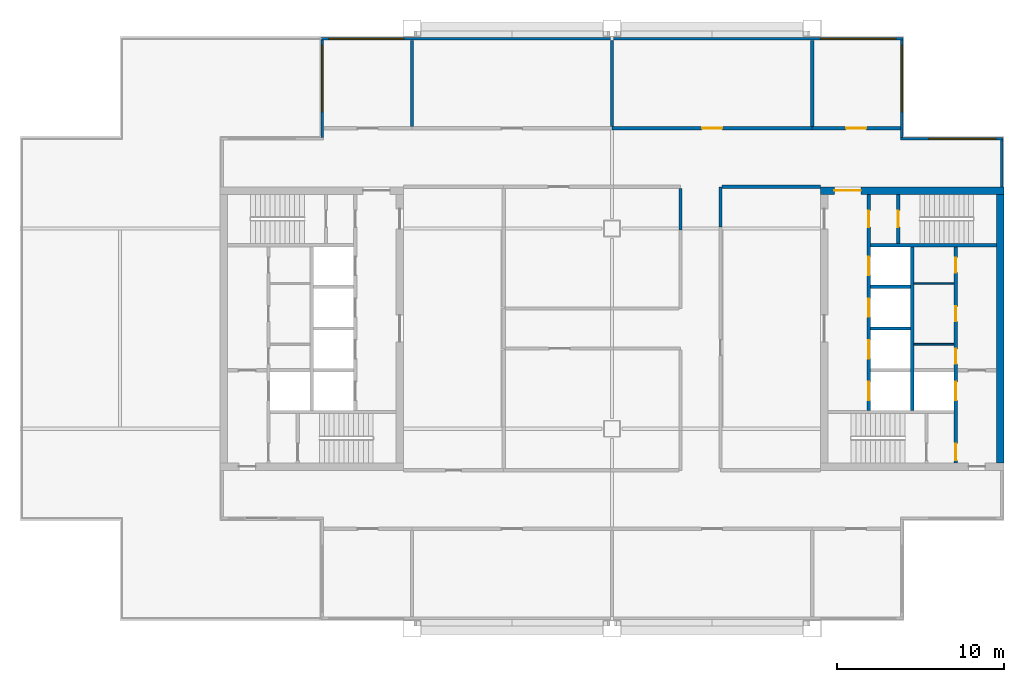
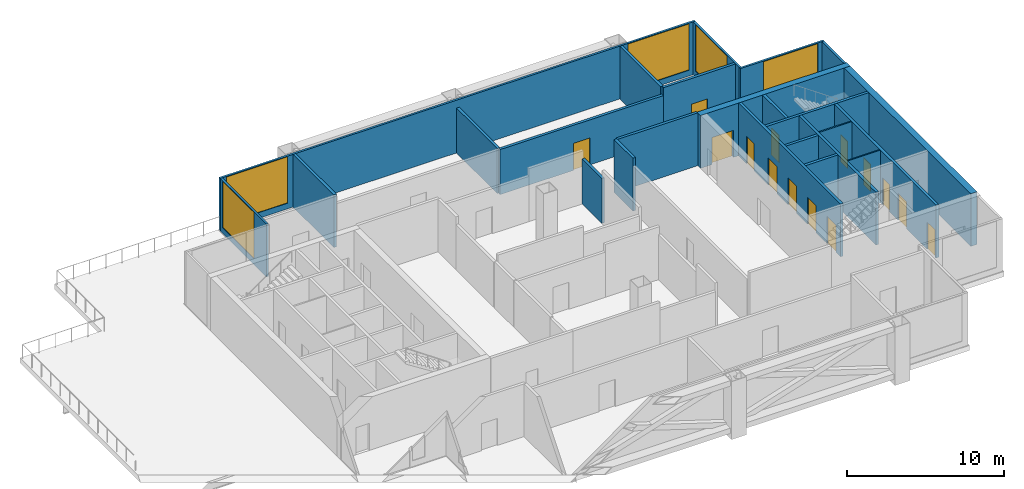
# One storey, part 4 of 6: 24 walls, 14 doors, 5 windows, 19 openings.
"""IFC4 building model written with IfcOpenShell, lengths in metres."""

from ifc_helpers import new_model, si_unit, direction, frame, frame_2d, origin, place, context, subcontext, project, spatial, rectangle, extrude, material, layer, layer_set, type_object, element, fill, save


model = new_model("IFC4")

# Units and contexts
model_context = context("Model", 3, precision=1e-05, world=origin(), true_north=direction((0.0, 1.0)))
body_context = subcontext(model_context, "Body", "Model", "MODEL_VIEW")
ifc_project = project(units=[si_unit("LENGTHUNIT", "METRE"), si_unit("AREAUNIT", "SQUARE_METRE"), si_unit("VOLUMEUNIT", "CUBIC_METRE"), si_unit("PLANEANGLEUNIT", "RADIAN"), si_unit("MASSUNIT", "GRAM", prefix="KILO")], contexts=[model_context])

# Site, building, storey
site_placement = place(None, origin())
site = spatial("IfcSite", under=ifc_project, at=site_placement, CompositionType="ELEMENT")
building_placement = place(site_placement, origin())
building = spatial("IfcBuilding", under=site, at=building_placement, Name="Kitamizu Gate Tower and Museum", CompositionType="ELEMENT")
storey_placement = place(building_placement, frame((0.0, 0.0, 213.449951171875)))
storey = spatial("IfcBuildingStorey", under=building, at=storey_placement, Name="L57", CompositionType="ELEMENT", Elevation=213.449951171875)

# Wall, opening, door
ifc_material_1 = material(Name="Concrete Fc42", Category="concrete")
ifc_layer_1 = layer(ifc_material_1, 0.449951171875)
ifc_layer_set_1 = layer_set([ifc_layer_1], Name="Concrete Fc42")
wall_type_1 = type_object("IfcWallType", Name="Core wall 450", PredefinedType="SHEAR", material=ifc_layer_set_1)
wall_1_placement = place(storey_placement, frame((59.5, 38.27490234375, 0.0), z_axis=(0.0, 0.0, 1.0), x_axis=(-1.0, 0.0, 0.0)))
wall_1 = element("IfcWall", 1, at=wall_1_placement, inside=storey, type_object=wall_type_1, Name="Core wall EN", PredefinedType="SHEAR", context=body_context, shape_type="SweptSolid", body=[
    extrude(rectangle(XDim=11.0, YDim=0.449951171875, at=frame_2d((5.5, 0.0))), origin(), (0.0, 0.0, 1.0), 4.10009765625),
])
opening_1_placement = place(wall_1_placement, frame((8.574951171875, 0.0, 0.0)))
opening_1 = element("IfcOpeningElement", 2, at=opening_1_placement, cuts=wall_1, Name="Opening L57-031", PredefinedType="OPENING", context=body_context, shape_type="SweptSolid", body=[
    extrude(rectangle(XDim=1.60009765625, YDim=2.10009765625, at=frame_2d((0.800048828125, 1.050048828125))), frame((0.0, 0.23486328125, 0.0), z_axis=(0.0, -1.0, 0.0), x_axis=(1.0, 0.0, 0.0)), (0.0, 0.0, 1.0), 0.469970703125),
])
ifc_material_2 = material(Name="Timber door set", Category="wood")
door_type_1 = type_object("IfcDoorType", Name="Entrance door 1600", OperationType="DOUBLE_DOOR_SINGLE_SWING", PredefinedType="DOOR", material=ifc_material_2)
door_1_placement = place(opening_1_placement, origin())
door_1 = element("IfcDoor", 3, at=door_1_placement, inside=storey, type_object=door_type_1, Name="Lobby door L57-031", OperationType="DOUBLE_DOOR_SINGLE_SWING", OverallHeight=2.10009765625, OverallWidth=1.60009765625, PredefinedType="DOOR", context=body_context, shape_type="SweptSolid", body=[
    extrude(rectangle(XDim=1.60009765625, YDim=2.10009765625, at=frame_2d((0.800048828125, 1.050048828125))), frame((0.0, 0.02490234375, 0.0), z_axis=(0.0, -1.0, 0.0), x_axis=(1.0, 0.0, 0.0)), (0.0, 0.0, 1.0), 0.050048828125),
])
fill(opening_1, door_1)

# Walls
wall_2_placement = place(storey_placement, frame((59.27490234375, 21.949951171875, 0.0), z_axis=(0.0, 0.0, 1.0), x_axis=(0.0, 1.0, 0.0)))
element("IfcWall", 4, at=wall_2_placement, inside=storey, type_object=wall_type_1, Name="Core wall EOUT", PredefinedType="SHEAR", context=body_context, shape_type="SweptSolid", body=[
    extrude(rectangle(XDim=16.10009765625, YDim=0.449951171875, at=frame_2d((8.050048828125, 0.0))), origin(), (0.0, 0.0, 1.0), 4.10009765625),
])
ifc_material_3 = material(Name="Gypsum board on galvanised stud")
ifc_layer_2 = layer(ifc_material_3, 0.10009765625)
ifc_layer_set_2 = layer_set([ifc_layer_2], Name="Gypsum board on galvanised stud")
wall_type_2 = type_object("IfcWallType", Name="Partition 100", PredefinedType="PARTITIONING", material=ifc_layer_set_2)
for number, where, z_axis, x_axis, name in (
    (5, (56.5, 29.06005859375, 0.0), (0.0, 0.0, 1.0), (-1.0, 0.0, 0.0), "Partition EPF1"),
    (6, (56.5, 32.7099609375, 0.0), (0.0, 0.0, 1.0), (-1.0, 0.0, 0.0), "Partition EPF2"),
):
    element("IfcWall", number, at=place(storey_placement, frame(where, z_axis=z_axis, x_axis=x_axis)), inside=storey, type_object=wall_type_2, Name=name, PredefinedType="PARTITIONING", context=body_context, shape_type="SweptSolid", body=[
        extrude(rectangle(XDim=2.39990234375, YDim=0.10009765625, at=frame_2d((1.199951171875, 0.0))), origin(), (0.0, 0.0, 1.0), 4.10009765625),
    ])
ifc_material_4 = material(Name="Gypsum board on galvanised stud")
ifc_layer_3 = layer(ifc_material_4, 0.199951171875)
ifc_layer_set_3 = layer_set([ifc_layer_3], Name="Gypsum board on galvanised stud")
wall_type_3 = type_object("IfcWallType", Name="Partition 200", PredefinedType="PARTITIONING", material=ifc_layer_set_3)
wall_3_placement = place(storey_placement, frame((42.5, 36.10009765625, 0.0), z_axis=(0.0, 0.0, 1.0), x_axis=(0.0, 1.0, 0.0)))
element("IfcWall", 7, at=wall_3_placement, inside=storey, type_object=wall_type_3, Name="Partition L57-006", PredefinedType="PARTITIONING", context=body_context, shape_type="SweptSolid", body=[
    extrude(rectangle(XDim=2.39990234375, YDim=0.199951171875, at=frame_2d((1.199951171875, 0.0))), origin(), (0.0, 0.0, 1.0), 4.10009765625),
])
wall_4_placement = place(storey_placement, frame((42.60009765625, 38.5, 0.0), z_axis=(0.0, 0.0, 1.0), x_axis=(1.0, 0.0, 0.0)))
element("IfcWall", 8, at=wall_4_placement, inside=storey, type_object=wall_type_3, Name="Partition L57-007", PredefinedType="PARTITIONING", context=body_context, shape_type="SweptSolid", body=[
    extrude(rectangle(XDim=5.89990234375, YDim=0.199951171875, at=frame_2d((2.949951171875, 0.0))), origin(), (0.0, 0.0, 1.0), 4.10009765625),
])

# Wall, opening, door
wall_5_placement = place(storey_placement, frame((48.0, 42.0, 0.0), z_axis=(0.0, 0.0, 1.0), x_axis=(-1.0, 0.0, 0.0)))
wall_5 = element("IfcWall", 9, at=wall_5_placement, inside=storey, type_object=wall_type_3, Name="Partition L57-014", PredefinedType="PARTITIONING", context=body_context, shape_type="SweptSolid", body=[
    extrude(rectangle(XDim=12.0, YDim=0.199951171875, at=frame_2d((6.0, 0.0))), origin(), (0.0, 0.0, 1.0), 3.5),
])
opening_2_placement = place(wall_5_placement, frame((5.39990234375, 0.0, 0.0)))
opening_2 = element("IfcOpeningElement", 10, at=opening_2_placement, cuts=wall_5, Name="Opening L57-009", PredefinedType="OPENING", context=body_context, shape_type="SweptSolid", body=[
    extrude(rectangle(XDim=1.199951171875, YDim=2.10009765625, at=frame_2d((0.60009765625, 1.050048828125))), frame((0.0, 0.10986328125, 0.0), z_axis=(0.0, -1.0, 0.0), x_axis=(1.0, 0.0, 0.0)), (0.0, 0.0, 1.0), 0.219970703125),
])
ifc_material_5 = material(Name="Timber door set", Category="wood")
door_type_2 = type_object("IfcDoorType", Name="Plant room door 1200", OperationType="DOUBLE_DOOR_SINGLE_SWING", PredefinedType="DOOR", material=ifc_material_5)
door_2_placement = place(opening_2_placement, origin())
door_2 = element("IfcDoor", 11, at=door_2_placement, inside=storey, type_object=door_type_2, Name="Plant room door L57-009", OperationType="DOUBLE_DOOR_SINGLE_SWING", OverallHeight=2.10009765625, OverallWidth=1.199951171875, PredefinedType="DOOR", context=body_context, shape_type="SweptSolid", body=[
    extrude(rectangle(XDim=1.199951171875, YDim=2.10009765625, at=frame_2d((0.60009765625, 1.050048828125))), frame((0.0, 0.02490234375, 0.0), z_axis=(0.0, -1.0, 0.0), x_axis=(1.0, 0.0, 0.0)), (0.0, 0.0, 1.0), 0.050048828125),
])
fill(opening_2, door_2)

wall_6_placement = place(storey_placement, frame((53.280029296875, 42.0, 0.0), z_axis=(0.0, 0.0, 1.0), x_axis=(-1.0, 0.0, 0.0)))
wall_6 = element("IfcWall", 12, at=wall_6_placement, inside=storey, type_object=wall_type_3, Name="Partition L57-015", PredefinedType="PARTITIONING", context=body_context, shape_type="SweptSolid", body=[
    extrude(rectangle(XDim=5.280029296875, YDim=0.199951171875, at=frame_2d((2.64013671875, 0.0))), origin(), (0.0, 0.0, 1.0), 4.10009765625),
])
opening_3_placement = place(wall_6_placement, frame((2.0400390625, 0.0, 0.0)))
opening_3 = element("IfcOpeningElement", 13, at=opening_3_placement, cuts=wall_6, Name="Opening L57-010", PredefinedType="OPENING", context=body_context, shape_type="SweptSolid", body=[
    extrude(rectangle(XDim=1.199951171875, YDim=2.10009765625, at=frame_2d((0.60009765625, 1.050048828125))), frame((0.0, 0.10986328125, 0.0), z_axis=(0.0, -1.0, 0.0), x_axis=(1.0, 0.0, 0.0)), (0.0, 0.0, 1.0), 0.219970703125),
])
door_3_placement = place(opening_3_placement, origin())
door_3 = element("IfcDoor", 14, at=door_3_placement, inside=storey, type_object=door_type_2, Name="Plant room door L57-010", OperationType="DOUBLE_DOOR_SINGLE_SWING", OverallHeight=2.10009765625, OverallWidth=1.199951171875, PredefinedType="DOOR", context=body_context, shape_type="SweptSolid", body=[
    extrude(rectangle(XDim=1.199951171875, YDim=2.10009765625, at=frame_2d((0.60009765625, 1.050048828125))), frame((0.0, 0.02490234375, 0.0), z_axis=(0.0, -1.0, 0.0), x_axis=(1.0, 0.0, 0.0)), (0.0, 0.0, 1.0), 0.050048828125),
])
fill(opening_3, door_3)

# Walls
wall_7_placement = place(storey_placement, frame((40.10009765625, 38.39990234375, 0.0), z_axis=(0.0, 0.0, 1.0), x_axis=(0.0, -1.0, 0.0)))
element("IfcWall", 15, at=wall_7_placement, inside=storey, type_object=wall_type_3, Name="Partition L57-024", PredefinedType="PARTITIONING", context=body_context, shape_type="SweptSolid", body=[
    extrude(rectangle(XDim=2.5, YDim=0.199951171875, at=frame_2d((1.25, 0.0))), origin(), (0.0, 0.0, 1.0), 3.5),
])
wall_8_placement = place(storey_placement, frame((24.0, 42.10009765625, 0.0), z_axis=(0.0, 0.0, 1.0), x_axis=(0.0, 1.0, 0.0)))
element("IfcWall", 16, at=wall_8_placement, inside=storey, type_object=wall_type_3, Name="Partition L57-035", PredefinedType="PARTITIONING", context=body_context, shape_type="SweptSolid", body=[
    extrude(rectangle(XDim=5.179931640625, YDim=0.199951171875, at=frame_2d((2.58984375, 0.0))), origin(), (0.0, 0.0, 1.0), 4.10009765625),
])
wall_9_placement = place(storey_placement, frame((36.0, 42.10009765625, 0.0), z_axis=(0.0, 0.0, 1.0), x_axis=(0.0, 1.0, 0.0)))
element("IfcWall", 17, at=wall_9_placement, inside=storey, type_object=wall_type_3, Name="Partition L57-036", PredefinedType="PARTITIONING", context=body_context, shape_type="SweptSolid", body=[
    extrude(rectangle(XDim=5.179931640625, YDim=0.199951171875, at=frame_2d((2.58984375, 0.0))), origin(), (0.0, 0.0, 1.0), 3.5),
])
wall_10_placement = place(storey_placement, frame((48.0, 42.10009765625, 0.0), z_axis=(0.0, 0.0, 1.0), x_axis=(0.0, 1.0, 0.0)))
element("IfcWall", 18, at=wall_10_placement, inside=storey, type_object=wall_type_3, Name="Partition L57-037", PredefinedType="PARTITIONING", context=body_context, shape_type="SweptSolid", body=[
    extrude(rectangle(XDim=5.179931640625, YDim=0.199951171875, at=frame_2d((2.58984375, 0.0))), origin(), (0.0, 0.0, 1.0), 4.10009765625),
])

# Wall, openings, doors
ifc_material_6 = material(Name="Concrete Fc42", Category="concrete")
ifc_layer_4 = layer(ifc_material_6, 0.199951171875)
ifc_layer_set_4 = layer_set([ifc_layer_4], Name="Concrete Fc42")
wall_type_4 = type_object("IfcWallType", Name="Shaft wall 200", PredefinedType="SOLIDWALL", material=ifc_layer_set_4)
wall_11_placement = place(storey_placement, frame((56.60009765625, 21.949951171875, 0.0), z_axis=(0.0, 0.0, 1.0), x_axis=(0.0, 1.0, 0.0)))
wall_11 = element("IfcWall", 19, at=wall_11_placement, inside=storey, type_object=wall_type_4, Name="Shaft wall EWEST", PredefinedType="SOLIDWALL", context=body_context, shape_type="SweptSolid", body=[
    extrude(rectangle(XDim=12.949951171875, YDim=0.199951171875, at=frame_2d((6.47509765625, 0.0))), origin(), (0.0, 0.0, 1.0), 4.10009765625),
])
opening_4_placement = place(wall_11_placement, frame((3.75, 0.0, 0.0)))
opening_4 = element("IfcOpeningElement", 20, at=opening_4_placement, cuts=wall_11, Name="Opening LD", PredefinedType="OPENING", context=body_context, shape_type="SweptSolid", body=[
    extrude(rectangle(XDim=1.10009765625, YDim=2.10009765625, at=frame_2d((0.550048828125, 1.050048828125))), frame((0.0, 0.10986328125, 0.0), z_axis=(0.0, -1.0, 0.0), x_axis=(1.0, 0.0, 0.0)), (0.0, 0.0, 1.0), 0.219970703125),
])
opening_5_placement = place(wall_11_placement, frame((0.14990234375, 0.0, 0.0)))
opening_5 = element("IfcOpeningElement", 21, at=opening_5_placement, cuts=wall_11, Name="Opening L57-026", PredefinedType="OPENING", context=body_context, shape_type="SweptSolid", body=[
    extrude(rectangle(XDim=1.0, YDim=2.10009765625, at=frame_2d((0.5, 1.050048828125))), frame((0.0, 0.10986328125, 0.0), z_axis=(0.0, -1.0, 0.0), x_axis=(1.0, 0.0, 0.0)), (0.0, 0.0, 1.0), 0.219970703125),
])
opening_6_placement = place(wall_11_placement, frame((5.929931640625, 0.0, 0.0)))
opening_6 = element("IfcOpeningElement", 22, at=opening_6_placement, cuts=wall_11, Name="Opening L57-034", PredefinedType="OPENING", context=body_context, shape_type="SweptSolid", body=[
    extrude(rectangle(XDim=0.89990234375, YDim=2.10009765625, at=frame_2d((0.449951171875, 1.050048828125))), frame((0.0, 0.10986328125, 0.0), z_axis=(0.0, -1.0, 0.0), x_axis=(1.0, 0.0, 0.0)), (0.0, 0.0, 1.0), 0.219970703125),
])
opening_7_placement = place(wall_11_placement, frame((8.485107421875, 0.0, 0.0)))
opening_7 = element("IfcOpeningElement", 23, at=opening_7_placement, cuts=wall_11, Name="Opening L57-035", PredefinedType="OPENING", context=body_context, shape_type="SweptSolid", body=[
    extrude(rectangle(XDim=0.89990234375, YDim=2.10009765625, at=frame_2d((0.449951171875, 1.050048828125))), frame((0.0, 0.10986328125, 0.0), z_axis=(0.0, -1.0, 0.0), x_axis=(1.0, 0.0, 0.0)), (0.0, 0.0, 1.0), 0.219970703125),
])
opening_8_placement = place(wall_11_placement, frame((11.405029296875, 0.0, 0.0)))
opening_8 = element("IfcOpeningElement", 24, at=opening_8_placement, cuts=wall_11, Name="Opening L57-036", PredefinedType="OPENING", context=body_context, shape_type="SweptSolid", body=[
    extrude(rectangle(XDim=0.89990234375, YDim=2.10009765625, at=frame_2d((0.449951171875, 1.050048828125))), frame((0.0, 0.10986328125, 0.0), z_axis=(0.0, -1.0, 0.0), x_axis=(1.0, 0.0, 0.0)), (0.0, 0.0, 1.0), 0.219970703125),
])
ifc_material_7 = material(Name="Hollow metal door set")
door_type_3 = type_object("IfcDoorType", Name="Fire door 1000", OperationType="NOTDEFINED", PredefinedType="DOOR", material=ifc_material_7)
door_4_placement = place(opening_5_placement, origin())
door_4 = element("IfcDoor", 25, at=door_4_placement, inside=storey, type_object=door_type_3, Name="Stair lobby door L57-026", OperationType="SINGLE_SWING_RIGHT", OverallHeight=2.10009765625, OverallWidth=1.0, PredefinedType="DOOR", context=body_context, shape_type="SweptSolid", body=[
    extrude(rectangle(XDim=1.0, YDim=2.10009765625, at=frame_2d((0.5, 1.050048828125))), frame((0.0, 0.02490234375, 0.0), z_axis=(0.0, -1.0, 0.0), x_axis=(1.0, 0.0, 0.0)), (0.0, 0.0, 1.0), 0.050048828125),
])
fill(opening_5, door_4)
ifc_material_8 = material(Name="Hollow metal door set")
door_type_4 = type_object("IfcDoorType", Name="Landing door 1100", OperationType="SLIDING_TO_LEFT", PredefinedType="DOOR", material=ifc_material_8)
door_5_placement = place(opening_4_placement, origin())
door_5 = element("IfcDoor", 26, at=door_5_placement, inside=storey, type_object=door_type_4, Name="Landing door EFF1", OperationType="SLIDING_TO_LEFT", OverallHeight=2.10009765625, OverallWidth=1.10009765625, PredefinedType="DOOR", context=body_context, shape_type="SweptSolid", body=[
    extrude(rectangle(XDim=1.10009765625, YDim=2.10009765625, at=frame_2d((0.550048828125, 1.050048828125))), frame((0.0, 0.02490234375, 0.0), z_axis=(0.0, -1.0, 0.0), x_axis=(1.0, 0.0, 0.0)), (0.0, 0.0, 1.0), 0.050048828125),
])
fill(opening_4, door_5)
ifc_material_9 = material(Name="Timber door set", Category="wood")
door_type_5 = type_object("IfcDoorType", Name="Service door 900", OperationType="NOTDEFINED", PredefinedType="DOOR", material=ifc_material_9)
door_6_placement = place(opening_6_placement, origin())
door_6 = element("IfcDoor", 27, at=door_6_placement, inside=storey, type_object=door_type_5, Name="Service door L57-034", OperationType="SINGLE_SWING_LEFT", OverallHeight=2.10009765625, OverallWidth=0.89990234375, PredefinedType="DOOR", context=body_context, shape_type="SweptSolid", body=[
    extrude(rectangle(XDim=0.89990234375, YDim=2.10009765625, at=frame_2d((0.449951171875, 1.050048828125))), frame((0.0, 0.02490234375, 0.0), z_axis=(0.0, -1.0, 0.0), x_axis=(1.0, 0.0, 0.0)), (0.0, 0.0, 1.0), 0.050048828125),
])
fill(opening_6, door_6)
door_7_placement = place(opening_7_placement, origin())
door_7 = element("IfcDoor", 28, at=door_7_placement, inside=storey, type_object=door_type_5, Name="Service door L57-035", OperationType="SINGLE_SWING_RIGHT", OverallHeight=2.10009765625, OverallWidth=0.89990234375, PredefinedType="DOOR", context=body_context, shape_type="SweptSolid", body=[
    extrude(rectangle(XDim=0.89990234375, YDim=2.10009765625, at=frame_2d((0.449951171875, 1.050048828125))), frame((0.0, 0.02490234375, 0.0), z_axis=(0.0, -1.0, 0.0), x_axis=(1.0, 0.0, 0.0)), (0.0, 0.0, 1.0), 0.050048828125),
])
fill(opening_7, door_7)
door_8_placement = place(opening_8_placement, origin())
door_8 = element("IfcDoor", 29, at=door_8_placement, inside=storey, type_object=door_type_5, Name="Service door L57-036", OperationType="SINGLE_SWING_LEFT", OverallHeight=2.10009765625, OverallWidth=0.89990234375, PredefinedType="DOOR", context=body_context, shape_type="SweptSolid", body=[
    extrude(rectangle(XDim=0.89990234375, YDim=2.10009765625, at=frame_2d((0.449951171875, 1.050048828125))), frame((0.0, 0.02490234375, 0.0), z_axis=(0.0, -1.0, 0.0), x_axis=(1.0, 0.0, 0.0)), (0.0, 0.0, 1.0), 0.050048828125),
])
fill(opening_8, door_8)

wall_12_placement = place(storey_placement, frame((51.39990234375, 25.10009765625, 0.0), z_axis=(0.0, 0.0, 1.0), x_axis=(0.0, 1.0, 0.0)))
wall_12 = element("IfcWall", 30, at=wall_12_placement, inside=storey, type_object=wall_type_4, Name="Shaft wall EEAST", PredefinedType="SOLIDWALL", context=body_context, shape_type="SweptSolid", body=[
    extrude(rectangle(XDim=12.949951171875, YDim=0.199951171875, at=frame_2d((6.47509765625, 0.0))), origin(), (0.0, 0.0, 1.0), 4.10009765625),
])
opening_9_placement = place(wall_12_placement, frame((0.60009765625, 0.0, 0.0)))
opening_9 = element("IfcOpeningElement", 31, at=opening_9_placement, cuts=wall_12, Name="Opening LD", PredefinedType="OPENING", context=body_context, shape_type="SweptSolid", body=[
    extrude(rectangle(XDim=1.10009765625, YDim=2.10009765625, at=frame_2d((0.550048828125, 1.050048828125))), frame((0.0, 0.10986328125, 0.0), z_axis=(0.0, -1.0, 0.0), x_axis=(1.0, 0.0, 0.0)), (0.0, 0.0, 1.0), 0.219970703125),
])
opening_10_placement = place(wall_12_placement, frame((3.10009765625, 0.0, 0.0)))
opening_10 = element("IfcOpeningElement", 32, at=opening_10_placement, cuts=wall_12, Name="Opening LD", PredefinedType="OPENING", context=body_context, shape_type="SweptSolid", body=[
    extrude(rectangle(XDim=1.10009765625, YDim=2.10009765625, at=frame_2d((0.550048828125, 1.050048828125))), frame((0.0, 0.10986328125, 0.0), z_axis=(0.0, -1.0, 0.0), x_axis=(1.0, 0.0, 0.0)), (0.0, 0.0, 1.0), 0.219970703125),
])
opening_11_placement = place(wall_12_placement, frame((5.60009765625, 0.0, 0.0)))
opening_11 = element("IfcOpeningElement", 33, at=opening_11_placement, cuts=wall_12, Name="Opening LD", PredefinedType="OPENING", context=body_context, shape_type="SweptSolid", body=[
    extrude(rectangle(XDim=1.10009765625, YDim=2.10009765625, at=frame_2d((0.550048828125, 1.050048828125))), frame((0.0, 0.10986328125, 0.0), z_axis=(0.0, -1.0, 0.0), x_axis=(1.0, 0.0, 0.0)), (0.0, 0.0, 1.0), 0.219970703125),
])
opening_12_placement = place(wall_12_placement, frame((8.10009765625, 0.0, 0.0)))
opening_12 = element("IfcOpeningElement", 34, at=opening_12_placement, cuts=wall_12, Name="Opening LD", PredefinedType="OPENING", context=body_context, shape_type="SweptSolid", body=[
    extrude(rectangle(XDim=1.10009765625, YDim=2.10009765625, at=frame_2d((0.550048828125, 1.050048828125))), frame((0.0, 0.10986328125, 0.0), z_axis=(0.0, -1.0, 0.0), x_axis=(1.0, 0.0, 0.0)), (0.0, 0.0, 1.0), 0.219970703125),
])
opening_13_placement = place(wall_12_placement, frame((10.97509765625, 0.0, 0.0)))
opening_13 = element("IfcOpeningElement", 35, at=opening_13_placement, cuts=wall_12, Name="Opening L57-027", PredefinedType="OPENING", context=body_context, shape_type="SweptSolid", body=[
    extrude(rectangle(XDim=1.0, YDim=2.10009765625, at=frame_2d((0.5, 1.050048828125))), frame((0.0, 0.10986328125, 0.0), z_axis=(0.0, -1.0, 0.0), x_axis=(1.0, 0.0, 0.0)), (0.0, 0.0, 1.0), 0.219970703125),
])
door_9_placement = place(opening_13_placement, frame((1.0, 0.0, 0.0), x_axis=(-1.0, 0.0, 0.0)))
door_9 = element("IfcDoor", 36, at=door_9_placement, inside=storey, type_object=door_type_3, Name="Stair lobby door L57-027", OperationType="SINGLE_SWING_RIGHT", OverallHeight=2.10009765625, OverallWidth=1.0, PredefinedType="DOOR", context=body_context, shape_type="SweptSolid", body=[
    extrude(rectangle(XDim=1.0, YDim=2.10009765625, at=frame_2d((0.5, 1.050048828125))), frame((0.0, 0.02490234375, 0.0), z_axis=(0.0, -1.0, 0.0), x_axis=(1.0, 0.0, 0.0)), (0.0, 0.0, 1.0), 0.050048828125),
])
fill(opening_13, door_9)
door_10_placement = place(opening_9_placement, origin())
door_10 = element("IfcDoor", 37, at=door_10_placement, inside=storey, type_object=door_type_4, Name="Landing door ESV1", OperationType="SLIDING_TO_LEFT", OverallHeight=2.10009765625, OverallWidth=1.10009765625, PredefinedType="DOOR", context=body_context, shape_type="SweptSolid", body=[
    extrude(rectangle(XDim=1.10009765625, YDim=2.10009765625, at=frame_2d((0.550048828125, 1.050048828125))), frame((0.0, 0.02490234375, 0.0), z_axis=(0.0, -1.0, 0.0), x_axis=(1.0, 0.0, 0.0)), (0.0, 0.0, 1.0), 0.050048828125),
])
fill(opening_9, door_10)
door_11_placement = place(opening_10_placement, origin())
door_11 = element("IfcDoor", 38, at=door_11_placement, inside=storey, type_object=door_type_4, Name="Landing door EH1", OperationType="SLIDING_TO_LEFT", OverallHeight=2.10009765625, OverallWidth=1.10009765625, PredefinedType="DOOR", context=body_context, shape_type="SweptSolid", body=[
    extrude(rectangle(XDim=1.10009765625, YDim=2.10009765625, at=frame_2d((0.550048828125, 1.050048828125))), frame((0.0, 0.02490234375, 0.0), z_axis=(0.0, -1.0, 0.0), x_axis=(1.0, 0.0, 0.0)), (0.0, 0.0, 1.0), 0.050048828125),
])
fill(opening_10, door_11)
door_12_placement = place(opening_11_placement, origin())
door_12 = element("IfcDoor", 39, at=door_12_placement, inside=storey, type_object=door_type_4, Name="Landing door EH2", OperationType="SLIDING_TO_LEFT", OverallHeight=2.10009765625, OverallWidth=1.10009765625, PredefinedType="DOOR", context=body_context, shape_type="SweptSolid", body=[
    extrude(rectangle(XDim=1.10009765625, YDim=2.10009765625, at=frame_2d((0.550048828125, 1.050048828125))), frame((0.0, 0.02490234375, 0.0), z_axis=(0.0, -1.0, 0.0), x_axis=(1.0, 0.0, 0.0)), (0.0, 0.0, 1.0), 0.050048828125),
])
fill(opening_11, door_12)
door_13_placement = place(opening_12_placement, origin())
door_13 = element("IfcDoor", 40, at=door_13_placement, inside=storey, type_object=door_type_4, Name="Landing door EH3", OperationType="SLIDING_TO_LEFT", OverallHeight=2.10009765625, OverallWidth=1.10009765625, PredefinedType="DOOR", context=body_context, shape_type="SweptSolid", body=[
    extrude(rectangle(XDim=1.10009765625, YDim=2.10009765625, at=frame_2d((0.550048828125, 1.050048828125))), frame((0.0, 0.02490234375, 0.0), z_axis=(0.0, -1.0, 0.0), x_axis=(1.0, 0.0, 0.0)), (0.0, 0.0, 1.0), 0.050048828125),
])
fill(opening_12, door_13)

# Walls
wall_13_placement = place(storey_placement, frame((54.0, 25.10009765625, 0.0), z_axis=(0.0, 0.0, 1.0), x_axis=(0.0, 1.0, 0.0)))
element("IfcWall", 41, at=wall_13_placement, inside=storey, type_object=wall_type_4, Name="Shaft wall EMID", PredefinedType="SOLIDWALL", context=body_context, shape_type="SweptSolid", body=[
    extrude(rectangle(XDim=9.7998046875, YDim=0.199951171875, at=frame_2d((4.89990234375, 0.0))), origin(), (0.0, 0.0, 1.0), 4.10009765625),
])
wall_14_placement = place(storey_placement, frame((59.050048828125, 35.0, 0.0), z_axis=(0.0, 0.0, 1.0), x_axis=(-1.0, 0.0, 0.0)))
element("IfcWall", 42, at=wall_14_placement, inside=storey, type_object=wall_type_4, Name="Shaft wall ENB", PredefinedType="SOLIDWALL", context=body_context, shape_type="SweptSolid", body=[
    extrude(rectangle(XDim=7.550048828125, YDim=0.199951171875, at=frame_2d((3.77490234375, 0.0))), origin(), (0.0, 0.0, 1.0), 4.10009765625),
])

# Wall, opening, door
wall_15_placement = place(storey_placement, frame((53.14990234375, 35.10009765625, 0.0), z_axis=(0.0, 0.0, 1.0), x_axis=(0.0, 1.0, 0.0)))
wall_15 = element("IfcWall", 43, at=wall_15_placement, inside=storey, type_object=wall_type_4, Name="Shaft wall ENZ", PredefinedType="SOLIDWALL", context=body_context, shape_type="SweptSolid", body=[
    extrude(rectangle(XDim=2.949951171875, YDim=0.199951171875, at=frame_2d((1.47509765625, 0.0))), origin(), (0.0, 0.0, 1.0), 4.10009765625),
])
opening_14_placement = place(wall_15_placement, frame((0.97509765625, 0.0, 0.0)))
opening_14 = element("IfcOpeningElement", 44, at=opening_14_placement, cuts=wall_15, Name="Opening L57-028", PredefinedType="OPENING", context=body_context, shape_type="SweptSolid", body=[
    extrude(rectangle(XDim=1.0, YDim=2.10009765625, at=frame_2d((0.5, 1.050048828125))), frame((0.0, 0.10986328125, 0.0), z_axis=(0.0, -1.0, 0.0), x_axis=(1.0, 0.0, 0.0)), (0.0, 0.0, 1.0), 0.219970703125),
])
door_14_placement = place(opening_14_placement, frame((1.0, 0.0, 0.0), x_axis=(-1.0, 0.0, 0.0)))
door_14 = element("IfcDoor", 45, at=door_14_placement, inside=storey, type_object=door_type_3, Name="Stair door L57-028", OperationType="SINGLE_SWING_LEFT", OverallHeight=2.10009765625, OverallWidth=1.0, PredefinedType="DOOR", context=body_context, shape_type="SweptSolid", body=[
    extrude(rectangle(XDim=1.0, YDim=2.10009765625, at=frame_2d((0.5, 1.050048828125))), frame((0.0, 0.02490234375, 0.0), z_axis=(0.0, -1.0, 0.0), x_axis=(1.0, 0.0, 0.0)), (0.0, 0.0, 1.0), 0.050048828125),
])
fill(opening_14, door_14)

# Walls
for number, where, z_axis, x_axis, name in (
    (46, (53.89990234375, 30.0, 0.0), (0.0, 0.0, 1.0), (-1.0, 0.0, 0.0), "Shaft wall EDVE1"),
    (47, (53.89990234375, 32.5, 0.0), (0.0, 0.0, 1.0), (-1.0, 0.0, 0.0), "Shaft wall EDVE2"),
):
    element("IfcWall", number, at=place(storey_placement, frame(where, z_axis=z_axis, x_axis=x_axis)), inside=storey, type_object=wall_type_4, Name=name, PredefinedType="SOLIDWALL", context=body_context, shape_type="SweptSolid", body=[
        extrude(rectangle(XDim=2.39990234375, YDim=0.199951171875, at=frame_2d((1.199951171875, 0.0))), origin(), (0.0, 0.0, 1.0), 4.10009765625),
    ])
ifc_material_10 = material(Name="Bronze anodised aluminium frame with insulated spandrel and tinted glass", Category="aluminium")
ifc_layer_5 = layer(ifc_material_10, 0.14990234375)
ifc_layer_set_5 = layer_set([ifc_layer_5], Name="Bronze anodised aluminium frame with insulated spandrel and tinted glass")
wall_type_5 = type_object("IfcWallType", Name="WINDOW WALL 150 BRONZE FRAME EI 60", PredefinedType="ELEMENTEDWALL", material=ifc_layer_set_5)
wall_16_placement = place(storey_placement, frame((59.364990234375, 38.5, 0.0), z_axis=(0.0, 0.0, 1.0), x_axis=(0.0, 1.0, 0.0)))
element("IfcWall", 48, at=wall_16_placement, inside=storey, type_object=wall_type_5, Name="Window wall east L57", PredefinedType="ELEMENTEDWALL", context=body_context, shape_type="SweptSolid", body=[
    extrude(rectangle(XDim=2.7900390625, YDim=0.14990234375, at=frame_2d((1.39501953125, 0.0))), origin(), (0.0, 0.0, 1.0), 4.10009765625),
])

# Wall, opening, window
wall_17_placement = place(storey_placement, frame((53.2900390625, 41.364990234375, 0.0), z_axis=(0.0, 0.0, 1.0), x_axis=(1.0, 0.0, 0.0)))
wall_17 = element("IfcWall", 49, at=wall_17_placement, inside=storey, type_object=wall_type_5, Name="Window wall north L57", PredefinedType="ELEMENTEDWALL", context=body_context, shape_type="SweptSolid", body=[
    extrude(rectangle(XDim=6.14990234375, YDim=0.14990234375, at=frame_2d((3.074951171875, 0.0))), origin(), (0.0, 0.0, 1.0), 4.10009765625),
])
opening_15_placement = place(wall_17_placement, frame((1.7099609375, 0.0, 0.449951171875)))
opening_15 = element("IfcOpeningElement", 50, at=opening_15_placement, cuts=wall_17, Name="Opening W18", PredefinedType="OPENING", context=body_context, shape_type="SweptSolid", body=[
    extrude(rectangle(XDim=4.0, YDim=3.60009765625, at=frame_2d((2.0, 1.800048828125))), frame((0.0, 0.0849609375, 0.0), z_axis=(0.0, -1.0, 0.0), x_axis=(1.0, 0.0, 0.0)), (0.0, 0.0, 1.0), 0.169921875),
])
ifc_material_11 = material(Name="Bronze anodised aluminium frame, tinted triple glazing", Category="aluminium")
window_type_1 = type_object("IfcWindowType", Name="WINDOW 4000 x 3600 SILL 450", PartitioningType="SINGLE_PANEL", PredefinedType="WINDOW", material=ifc_material_11)
window_1_placement = place(opening_15_placement, origin())
window_1 = element("IfcWindow", 51, at=window_1_placement, inside=storey, type_object=window_type_1, Name="Window W18 L57", OverallHeight=3.60009765625, OverallWidth=4.0, PartitioningType="SINGLE_PANEL", PredefinedType="WINDOW", context=body_context, shape_type="SweptSolid", body=[
    extrude(rectangle(XDim=4.0, YDim=3.60009765625, at=frame_2d((2.0, 1.800048828125))), frame((0.0, 0.030029296875, 0.0), z_axis=(0.0, -1.0, 0.0), x_axis=(1.0, 0.0, 0.0)), (0.0, 0.0, 1.0), 0.06005859375),
])
fill(opening_15, window_1)

wall_18_placement = place(storey_placement, frame((53.364990234375, 41.43994140625, 0.0), z_axis=(0.0, 0.0, 1.0), x_axis=(0.0, 1.0, 0.0)))
wall_18 = element("IfcWall", 52, at=wall_18_placement, inside=storey, type_object=wall_type_5, Name="Window wall east L57", PredefinedType="ELEMENTEDWALL", context=body_context, shape_type="SweptSolid", body=[
    extrude(rectangle(XDim=5.85009765625, YDim=0.14990234375, at=frame_2d((2.925048828125, 0.0))), origin(), (0.0, 0.0, 1.0), 4.10009765625),
])
opening_16_placement = place(wall_18_placement, frame((1.56005859375, 0.0, 0.449951171875)))
opening_16 = element("IfcOpeningElement", 53, at=opening_16_placement, cuts=wall_18, Name="Opening W18", PredefinedType="OPENING", context=body_context, shape_type="SweptSolid", body=[
    extrude(rectangle(XDim=4.0, YDim=3.60009765625, at=frame_2d((2.0, 1.800048828125))), frame((0.0, 0.0849609375, 0.0), z_axis=(0.0, -1.0, 0.0), x_axis=(1.0, 0.0, 0.0)), (0.0, 0.0, 1.0), 0.169921875),
])
window_2_placement = place(opening_16_placement, origin())
window_2 = element("IfcWindow", 54, at=window_2_placement, inside=storey, type_object=window_type_1, Name="Window W18 L57", OverallHeight=3.60009765625, OverallWidth=4.0, PartitioningType="SINGLE_PANEL", PredefinedType="WINDOW", context=body_context, shape_type="SweptSolid", body=[
    extrude(rectangle(XDim=4.0, YDim=3.60009765625, at=frame_2d((2.0, 1.800048828125))), frame((0.0, 0.030029296875, 0.0), z_axis=(0.0, -1.0, 0.0), x_axis=(1.0, 0.0, 0.0)), (0.0, 0.0, 1.0), 0.06005859375),
])
fill(opening_16, window_2)

# Wall, openings, windows
wall_19_placement = place(storey_placement, frame((18.56005859375, 47.364990234375, 0.0), z_axis=(0.0, 0.0, 1.0), x_axis=(1.0, 0.0, 0.0)))
wall_19 = element("IfcWall", 55, at=wall_19_placement, inside=storey, type_object=wall_type_5, Name="Window wall north L57", PredefinedType="ELEMENTEDWALL", context=body_context, shape_type="SweptSolid", body=[
    extrude(rectangle(XDim=34.8798828125, YDim=0.14990234375, at=frame_2d((17.43994140625, 0.0))), origin(), (0.0, 0.0, 1.0), 4.10009765625),
])
opening_17_placement = place(wall_19_placement, frame((0.43994140625, 0.0, 0.449951171875)))
opening_17 = element("IfcOpeningElement", 56, at=opening_17_placement, cuts=wall_19, Name="Opening W17", PredefinedType="OPENING", context=body_context, shape_type="SweptSolid", body=[
    extrude(rectangle(XDim=4.5, YDim=3.60009765625, at=frame_2d((2.25, 1.800048828125))), frame((0.0, 0.0849609375, 0.0), z_axis=(0.0, -1.0, 0.0), x_axis=(1.0, 0.0, 0.0)), (0.0, 0.0, 1.0), 0.169921875),
])
opening_18_placement = place(wall_19_placement, frame((29.93994140625, 0.0, 0.449951171875)))
opening_18 = element("IfcOpeningElement", 57, at=opening_18_placement, cuts=wall_19, Name="Opening W17", PredefinedType="OPENING", context=body_context, shape_type="SweptSolid", body=[
    extrude(rectangle(XDim=4.5, YDim=3.60009765625, at=frame_2d((2.25, 1.800048828125))), frame((0.0, 0.0849609375, 0.0), z_axis=(0.0, -1.0, 0.0), x_axis=(1.0, 0.0, 0.0)), (0.0, 0.0, 1.0), 0.169921875),
])
ifc_material_12 = material(Name="Bronze anodised aluminium frame, tinted triple glazing", Category="aluminium")
window_type_2 = type_object("IfcWindowType", Name="WINDOW 4500 x 3600 SILL 450", PartitioningType="SINGLE_PANEL", PredefinedType="WINDOW", material=ifc_material_12)
window_3_placement = place(opening_17_placement, origin())
window_3 = element("IfcWindow", 58, at=window_3_placement, inside=storey, type_object=window_type_2, Name="Window W17 L57", OverallHeight=3.60009765625, OverallWidth=4.5, PartitioningType="SINGLE_PANEL", PredefinedType="WINDOW", context=body_context, shape_type="SweptSolid", body=[
    extrude(rectangle(XDim=4.5, YDim=3.60009765625, at=frame_2d((2.25, 1.800048828125))), frame((0.0, 0.030029296875, 0.0), z_axis=(0.0, -1.0, 0.0), x_axis=(1.0, 0.0, 0.0)), (0.0, 0.0, 1.0), 0.06005859375),
])
fill(opening_17, window_3)
window_4_placement = place(opening_18_placement, origin())
window_4 = element("IfcWindow", 59, at=window_4_placement, inside=storey, type_object=window_type_2, Name="Window W17 L57", OverallHeight=3.60009765625, OverallWidth=4.5, PartitioningType="SINGLE_PANEL", PredefinedType="WINDOW", context=body_context, shape_type="SweptSolid", body=[
    extrude(rectangle(XDim=4.5, YDim=3.60009765625, at=frame_2d((2.25, 1.800048828125))), frame((0.0, 0.030029296875, 0.0), z_axis=(0.0, -1.0, 0.0), x_axis=(1.0, 0.0, 0.0)), (0.0, 0.0, 1.0), 0.06005859375),
])
fill(opening_18, window_4)

# Wall, opening, window
wall_20_placement = place(storey_placement, frame((18.635009765625, 41.43994140625, 0.0), z_axis=(0.0, 0.0, 1.0), x_axis=(0.0, 1.0, 0.0)))
wall_20 = element("IfcWall", 60, at=wall_20_placement, inside=storey, type_object=wall_type_5, Name="Window wall west L57", PredefinedType="ELEMENTEDWALL", context=body_context, shape_type="SweptSolid", body=[
    extrude(rectangle(XDim=5.85009765625, YDim=0.14990234375, at=frame_2d((2.925048828125, 0.0))), origin(), (0.0, 0.0, 1.0), 4.10009765625),
])
opening_19_placement = place(wall_20_placement, frame((1.56005859375, 0.0, 0.449951171875)))
opening_19 = element("IfcOpeningElement", 61, at=opening_19_placement, cuts=wall_20, Name="Opening W18", PredefinedType="OPENING", context=body_context, shape_type="SweptSolid", body=[
    extrude(rectangle(XDim=4.0, YDim=3.60009765625, at=frame_2d((2.0, 1.800048828125))), frame((0.0, 0.0849609375, 0.0), z_axis=(0.0, -1.0, 0.0), x_axis=(1.0, 0.0, 0.0)), (0.0, 0.0, 1.0), 0.169921875),
])
window_5_placement = place(opening_19_placement, origin())
window_5 = element("IfcWindow", 62, at=window_5_placement, inside=storey, type_object=window_type_1, Name="Window W18 L57", OverallHeight=3.60009765625, OverallWidth=4.0, PartitioningType="SINGLE_PANEL", PredefinedType="WINDOW", context=body_context, shape_type="SweptSolid", body=[
    extrude(rectangle(XDim=4.0, YDim=3.60009765625, at=frame_2d((2.0, 1.800048828125))), frame((0.0, 0.030029296875, 0.0), z_axis=(0.0, -1.0, 0.0), x_axis=(1.0, 0.0, 0.0)), (0.0, 0.0, 1.0), 0.06005859375),
])
fill(opening_19, window_5)

save(model, "model.ifc")
